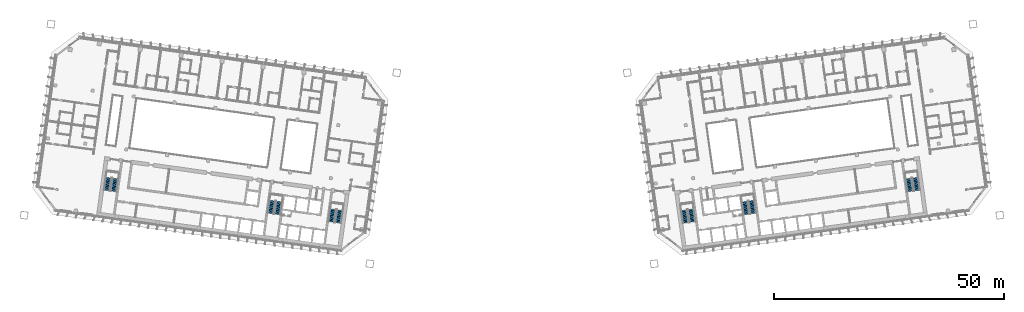
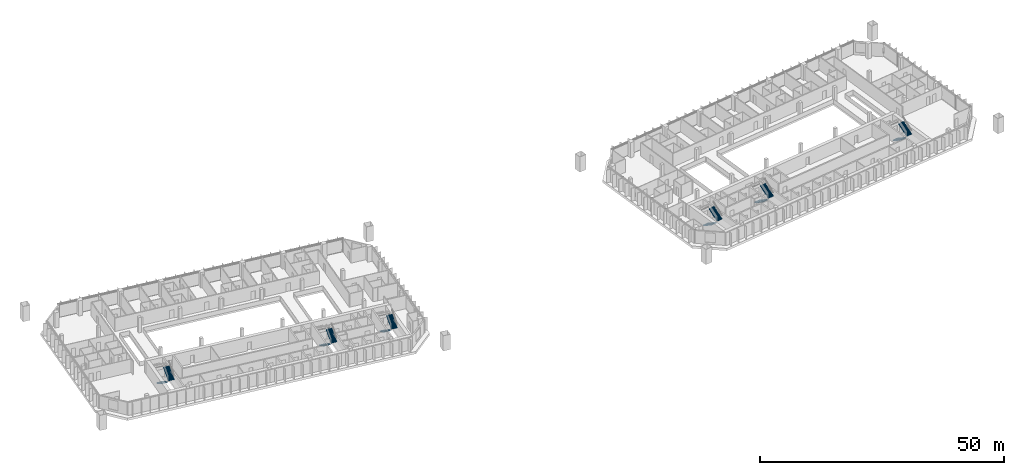
# One storey, part 23 of 26: 12 stair flights, 6 elements without a shape of their own.
"""IFC4 building model written with IfcOpenShell, lengths in metres."""

from ifc_helpers import new_model, si_unit, direction, frame, origin, place, context, subcontext, project, spatial, polyline, outline, extrude, material, type_object, element, aggregate, save


model = new_model("IFC4")

# Units and contexts
model_context = context("Model", 3, precision=1e-05, world=origin(), true_north=direction((0.0, 1.0)))
body_context = subcontext(model_context, "Body", "Model", "MODEL_VIEW")
ifc_project = project(units=[si_unit("LENGTHUNIT", "METRE"), si_unit("AREAUNIT", "SQUARE_METRE"), si_unit("VOLUMEUNIT", "CUBIC_METRE"), si_unit("PLANEANGLEUNIT", "RADIAN"), si_unit("MASSUNIT", "GRAM", prefix="KILO")], contexts=[model_context])

# Site, building, storey
site_placement = place(None, origin())
site = spatial("IfcSite", under=ifc_project, at=site_placement, CompositionType="ELEMENT")
building_placement = place(site_placement, origin())
building = spatial("IfcBuilding", under=site, at=building_placement, Name="Mirante Cascada Hotel Towers", CompositionType="ELEMENT")
storey_placement = place(building_placement, frame((0.0, 0.0, 106.3)))
storey = spatial("IfcBuildingStorey", under=building, at=storey_placement, Name="L23", CompositionType="ELEMENT", Elevation=106.3)

# Stair, stair flights
ifc_material_1 = material(Name="Concrete C35/45", Category="concrete")
stair_type = type_object("IfcStairType", Name="Exit stair half-turn 1350 concrete C35/45", PredefinedType="HALF_TURN_STAIR", material=ifc_material_1)
stair_1_placement = place(storey_placement, origin())
stair_1 = element("IfcStair", 1, at=stair_1_placement, inside=storey, type_object=stair_type, Name="L23 Exit stair A", PredefinedType="HALF_TURN_STAIR")
ifc_material_2 = material(Name="Concrete C35/45", Category="concrete")
stair_flight_type = type_object("IfcStairFlightType", Name="Exit stair flight 1350 concrete C35/45", PredefinedType="STRAIGHT", material=ifc_material_2)
stair_flight_1_placement = place(storey_placement, frame((-38.9417, -11.195, 0.0), z_axis=(0.0, 0.0, 1.0), x_axis=(-0.1391731, -0.9902681, 0.0)))
stair_flight_1 = element("IfcStairFlight", 2, at=stair_flight_1_placement, type_object=stair_flight_type, Name="ST1-A flight 1", NumberOfRisers=11, NumberOfTreads=10, PredefinedType="STRAIGHT", RiserHeight=0.172727273, TreadLength=0.28, context=body_context, shape_type="SweptSolid", body=[
    extrude(outline(polyline([(0.0, 0.0), (0.0, 0.1727), (0.28, 0.1727), (0.28, 0.3455), (0.56, 0.3455), (0.56, 0.5182), (0.84, 0.5182), (0.84, 0.6909), (1.12, 0.6909), (1.12, 0.8636), (1.4, 0.8636), (1.4, 1.0364), (1.68, 1.0364), (1.68, 1.2091), (1.96, 1.2091), (1.96, 1.3818), (2.24, 1.3818), (2.24, 1.5545), (2.52, 1.5545), (2.52, 1.7273), (2.8, 1.7273), (2.8, 1.9), (2.8, 1.551), (0.2857, 0.0), (0.0, 0.0)])), frame((0.0, 0.675, 0.0), z_axis=(0.0, -1.0, 0.0), x_axis=(1.0, 0.0, 0.0)), (0.0, 0.0, 1.0), 1.35),
])
stair_flight_2_placement = place(storey_placement, frame((-37.846, -14.1765, 1.9), z_axis=(0.0, 0.0, 1.0), x_axis=(0.1391731, 0.9902681, 0.0)))
stair_flight_2 = element("IfcStairFlight", 3, at=stair_flight_2_placement, type_object=stair_flight_type, Name="ST1-A flight 2", NumberOfRisers=11, NumberOfTreads=10, PredefinedType="STRAIGHT", RiserHeight=0.172727273, TreadLength=0.28, context=body_context, shape_type="SweptSolid", body=[
    extrude(outline(polyline([(0.0, 0.0), (0.0, 0.1727), (0.28, 0.1727), (0.28, 0.3455), (0.56, 0.3455), (0.56, 0.5182), (0.84, 0.5182), (0.84, 0.6909), (1.12, 0.6909), (1.12, 0.8636), (1.4, 0.8636), (1.4, 1.0364), (1.68, 1.0364), (1.68, 1.2091), (1.96, 1.2091), (1.96, 1.3818), (2.24, 1.3818), (2.24, 1.5545), (2.52, 1.5545), (2.52, 1.7273), (2.8, 1.7273), (2.8, 1.9), (2.8, 1.551), (0.2857, 0.0), (0.0, 0.0)])), frame((0.0, 0.675, 0.0), z_axis=(0.0, -1.0, 0.0), x_axis=(1.0, 0.0, 0.0)), (0.0, 0.0, 1.0), 1.35),
])
aggregate(stair_1, [stair_flight_1, stair_flight_2])

stair_2_placement = place(storey_placement, origin())
stair_2 = element("IfcStair", 4, at=stair_2_placement, inside=storey, type_object=stair_type, Name="L23 Exit stair B", PredefinedType="HALF_TURN_STAIR")
stair_flight_3_placement = place(storey_placement, frame((-52.1618, -9.3371, 0.0), z_axis=(0.0, 0.0, 1.0), x_axis=(-0.1391731, -0.9902681, 0.0)))
stair_flight_3 = element("IfcStairFlight", 5, at=stair_flight_3_placement, type_object=stair_flight_type, Name="ST1-B flight 1", NumberOfRisers=11, NumberOfTreads=10, PredefinedType="STRAIGHT", RiserHeight=0.172727273, TreadLength=0.28, context=body_context, shape_type="SweptSolid", body=[
    extrude(outline(polyline([(0.0, 0.0), (0.0, 0.1727), (0.28, 0.1727), (0.28, 0.3455), (0.56, 0.3455), (0.56, 0.5182), (0.84, 0.5182), (0.84, 0.6909), (1.12, 0.6909), (1.12, 0.8636), (1.4, 0.8636), (1.4, 1.0364), (1.68, 1.0364), (1.68, 1.2091), (1.96, 1.2091), (1.96, 1.3818), (2.24, 1.3818), (2.24, 1.5545), (2.52, 1.5545), (2.52, 1.7273), (2.8, 1.7273), (2.8, 1.9), (2.8, 1.551), (0.2857, 0.0), (0.0, 0.0)])), frame((0.0, 0.675, 0.0), z_axis=(0.0, -1.0, 0.0), x_axis=(1.0, 0.0, 0.0)), (0.0, 0.0, 1.0), 1.35),
])
stair_flight_4_placement = place(storey_placement, frame((-51.0661, -12.3186, 1.9), z_axis=(0.0, 0.0, 1.0), x_axis=(0.1391731, 0.9902681, 0.0)))
stair_flight_4 = element("IfcStairFlight", 6, at=stair_flight_4_placement, type_object=stair_flight_type, Name="ST1-B flight 2", NumberOfRisers=11, NumberOfTreads=10, PredefinedType="STRAIGHT", RiserHeight=0.172727273, TreadLength=0.28, context=body_context, shape_type="SweptSolid", body=[
    extrude(outline(polyline([(0.0, 0.0), (0.0, 0.1727), (0.28, 0.1727), (0.28, 0.3455), (0.56, 0.3455), (0.56, 0.5182), (0.84, 0.5182), (0.84, 0.6909), (1.12, 0.6909), (1.12, 0.8636), (1.4, 0.8636), (1.4, 1.0364), (1.68, 1.0364), (1.68, 1.2091), (1.96, 1.2091), (1.96, 1.3818), (2.24, 1.3818), (2.24, 1.5545), (2.52, 1.5545), (2.52, 1.7273), (2.8, 1.7273), (2.8, 1.9), (2.8, 1.551), (0.2857, 0.0), (0.0, 0.0)])), frame((0.0, 0.675, 0.0), z_axis=(0.0, -1.0, 0.0), x_axis=(1.0, 0.0, 0.0)), (0.0, 0.0, 1.0), 1.35),
])
aggregate(stair_2, [stair_flight_3, stair_flight_4])

stair_3_placement = place(storey_placement, origin())
stair_3 = element("IfcStair", 7, at=stair_3_placement, inside=storey, type_object=stair_type, Name="L23 Exit stair C", PredefinedType="HALF_TURN_STAIR")
stair_flight_5_placement = place(storey_placement, frame((-87.8115, -4.3268, 0.0), z_axis=(0.0, 0.0, 1.0), x_axis=(-0.1391731, -0.9902681, 0.0)))
stair_flight_5 = element("IfcStairFlight", 8, at=stair_flight_5_placement, type_object=stair_flight_type, Name="ST1-C flight 1", NumberOfRisers=11, NumberOfTreads=10, PredefinedType="STRAIGHT", RiserHeight=0.172727273, TreadLength=0.28, context=body_context, shape_type="SweptSolid", body=[
    extrude(outline(polyline([(0.0, 0.0), (0.0, 0.1727), (0.28, 0.1727), (0.28, 0.3455), (0.56, 0.3455), (0.56, 0.5182), (0.84, 0.5182), (0.84, 0.6909), (1.12, 0.6909), (1.12, 0.8636), (1.4, 0.8636), (1.4, 1.0364), (1.68, 1.0364), (1.68, 1.2091), (1.96, 1.2091), (1.96, 1.3818), (2.24, 1.3818), (2.24, 1.5545), (2.52, 1.5545), (2.52, 1.7273), (2.8, 1.7273), (2.8, 1.9), (2.8, 1.551), (0.2857, 0.0), (0.0, 0.0)])), frame((0.0, 0.675, 0.0), z_axis=(0.0, -1.0, 0.0), x_axis=(1.0, 0.0, 0.0)), (0.0, 0.0, 1.0), 1.35),
])
stair_flight_6_placement = place(storey_placement, frame((-86.7157, -7.3084, 1.9), z_axis=(0.0, 0.0, 1.0), x_axis=(0.1391731, 0.9902681, 0.0)))
stair_flight_6 = element("IfcStairFlight", 9, at=stair_flight_6_placement, type_object=stair_flight_type, Name="ST1-C flight 2", NumberOfRisers=11, NumberOfTreads=10, PredefinedType="STRAIGHT", RiserHeight=0.172727273, TreadLength=0.28, context=body_context, shape_type="SweptSolid", body=[
    extrude(outline(polyline([(0.0, 0.0), (0.0, 0.1727), (0.28, 0.1727), (0.28, 0.3455), (0.56, 0.3455), (0.56, 0.5182), (0.84, 0.5182), (0.84, 0.6909), (1.12, 0.6909), (1.12, 0.8636), (1.4, 0.8636), (1.4, 1.0364), (1.68, 1.0364), (1.68, 1.2091), (1.96, 1.2091), (1.96, 1.3818), (2.24, 1.3818), (2.24, 1.5545), (2.52, 1.5545), (2.52, 1.7273), (2.8, 1.7273), (2.8, 1.9), (2.8, 1.551), (0.2857, 0.0), (0.0, 0.0)])), frame((0.0, 0.675, 0.0), z_axis=(0.0, -1.0, 0.0), x_axis=(1.0, 0.0, 0.0)), (0.0, 0.0, 1.0), 1.35),
])
aggregate(stair_3, [stair_flight_5, stair_flight_6])

stair_4_placement = place(storey_placement, origin())
stair_4 = element("IfcStair", 10, at=stair_4_placement, inside=storey, type_object=stair_type, Name="L23 Exit stair A", PredefinedType="HALF_TURN_STAIR")
stair_flight_7_placement = place(storey_placement, frame((37.4563, -11.4038, 0.0), z_axis=(0.0, 0.0, 1.0), x_axis=(0.1391731, -0.9902681, 0.0)))
stair_flight_7 = element("IfcStairFlight", 11, at=stair_flight_7_placement, type_object=stair_flight_type, Name="ST2-A flight 1", NumberOfRisers=11, NumberOfTreads=10, PredefinedType="STRAIGHT", RiserHeight=0.172727273, TreadLength=0.28, context=body_context, shape_type="SweptSolid", body=[
    extrude(outline(polyline([(0.0, 0.0), (0.0, 0.1727), (0.28, 0.1727), (0.28, 0.3455), (0.56, 0.3455), (0.56, 0.5182), (0.84, 0.5182), (0.84, 0.6909), (1.12, 0.6909), (1.12, 0.8636), (1.4, 0.8636), (1.4, 1.0364), (1.68, 1.0364), (1.68, 1.2091), (1.96, 1.2091), (1.96, 1.3818), (2.24, 1.3818), (2.24, 1.5545), (2.52, 1.5545), (2.52, 1.7273), (2.8, 1.7273), (2.8, 1.9), (2.8, 1.551), (0.2857, 0.0), (0.0, 0.0)])), frame((0.0, 0.675, 0.0), z_axis=(0.0, -1.0, 0.0), x_axis=(1.0, 0.0, 0.0)), (0.0, 0.0, 1.0), 1.35),
])
stair_flight_8_placement = place(storey_placement, frame((39.3314, -13.9678, 1.9), z_axis=(0.0, 0.0, 1.0), x_axis=(-0.1391731, 0.9902681, 0.0)))
stair_flight_8 = element("IfcStairFlight", 12, at=stair_flight_8_placement, type_object=stair_flight_type, Name="ST2-A flight 2", NumberOfRisers=11, NumberOfTreads=10, PredefinedType="STRAIGHT", RiserHeight=0.172727273, TreadLength=0.28, context=body_context, shape_type="SweptSolid", body=[
    extrude(outline(polyline([(0.0, 0.0), (0.0, 0.1727), (0.28, 0.1727), (0.28, 0.3455), (0.56, 0.3455), (0.56, 0.5182), (0.84, 0.5182), (0.84, 0.6909), (1.12, 0.6909), (1.12, 0.8636), (1.4, 0.8636), (1.4, 1.0364), (1.68, 1.0364), (1.68, 1.2091), (1.96, 1.2091), (1.96, 1.3818), (2.24, 1.3818), (2.24, 1.5545), (2.52, 1.5545), (2.52, 1.7273), (2.8, 1.7273), (2.8, 1.9), (2.8, 1.551), (0.2857, 0.0), (0.0, 0.0)])), frame((0.0, 0.675, 0.0), z_axis=(0.0, -1.0, 0.0), x_axis=(1.0, 0.0, 0.0)), (0.0, 0.0, 1.0), 1.35),
])
aggregate(stair_4, [stair_flight_7, stair_flight_8])

stair_5_placement = place(storey_placement, origin())
stair_5 = element("IfcStair", 13, at=stair_5_placement, inside=storey, type_object=stair_type, Name="L23 Exit stair B", PredefinedType="HALF_TURN_STAIR")
stair_flight_9_placement = place(storey_placement, frame((50.6764, -9.5458, 0.0), z_axis=(0.0, 0.0, 1.0), x_axis=(0.1391731, -0.9902681, 0.0)))
stair_flight_9 = element("IfcStairFlight", 14, at=stair_flight_9_placement, type_object=stair_flight_type, Name="ST2-B flight 1", NumberOfRisers=11, NumberOfTreads=10, PredefinedType="STRAIGHT", RiserHeight=0.172727273, TreadLength=0.28, context=body_context, shape_type="SweptSolid", body=[
    extrude(outline(polyline([(0.0, 0.0), (0.0, 0.1727), (0.28, 0.1727), (0.28, 0.3455), (0.56, 0.3455), (0.56, 0.5182), (0.84, 0.5182), (0.84, 0.6909), (1.12, 0.6909), (1.12, 0.8636), (1.4, 0.8636), (1.4, 1.0364), (1.68, 1.0364), (1.68, 1.2091), (1.96, 1.2091), (1.96, 1.3818), (2.24, 1.3818), (2.24, 1.5545), (2.52, 1.5545), (2.52, 1.7273), (2.8, 1.7273), (2.8, 1.9), (2.8, 1.551), (0.2857, 0.0), (0.0, 0.0)])), frame((0.0, 0.675, 0.0), z_axis=(0.0, -1.0, 0.0), x_axis=(1.0, 0.0, 0.0)), (0.0, 0.0, 1.0), 1.35),
])
stair_flight_10_placement = place(storey_placement, frame((52.5515, -12.1098, 1.9), z_axis=(0.0, 0.0, 1.0), x_axis=(-0.1391731, 0.9902681, 0.0)))
stair_flight_10 = element("IfcStairFlight", 15, at=stair_flight_10_placement, type_object=stair_flight_type, Name="ST2-B flight 2", NumberOfRisers=11, NumberOfTreads=10, PredefinedType="STRAIGHT", RiserHeight=0.172727273, TreadLength=0.28, context=body_context, shape_type="SweptSolid", body=[
    extrude(outline(polyline([(0.0, 0.0), (0.0, 0.1727), (0.28, 0.1727), (0.28, 0.3455), (0.56, 0.3455), (0.56, 0.5182), (0.84, 0.5182), (0.84, 0.6909), (1.12, 0.6909), (1.12, 0.8636), (1.4, 0.8636), (1.4, 1.0364), (1.68, 1.0364), (1.68, 1.2091), (1.96, 1.2091), (1.96, 1.3818), (2.24, 1.3818), (2.24, 1.5545), (2.52, 1.5545), (2.52, 1.7273), (2.8, 1.7273), (2.8, 1.9), (2.8, 1.551), (0.2857, 0.0), (0.0, 0.0)])), frame((0.0, 0.675, 0.0), z_axis=(0.0, -1.0, 0.0), x_axis=(1.0, 0.0, 0.0)), (0.0, 0.0, 1.0), 1.35),
])
aggregate(stair_5, [stair_flight_9, stair_flight_10])

stair_6_placement = place(storey_placement, origin())
stair_6 = element("IfcStair", 16, at=stair_6_placement, inside=storey, type_object=stair_type, Name="L23 Exit stair C", PredefinedType="HALF_TURN_STAIR")
stair_flight_11_placement = place(storey_placement, frame((86.326, -4.5356, 0.0), z_axis=(0.0, 0.0, 1.0), x_axis=(0.1391731, -0.9902681, 0.0)))
stair_flight_11 = element("IfcStairFlight", 17, at=stair_flight_11_placement, type_object=stair_flight_type, Name="ST2-C flight 1", NumberOfRisers=11, NumberOfTreads=10, PredefinedType="STRAIGHT", RiserHeight=0.172727273, TreadLength=0.28, context=body_context, shape_type="SweptSolid", body=[
    extrude(outline(polyline([(0.0, 0.0), (0.0, 0.1727), (0.28, 0.1727), (0.28, 0.3455), (0.56, 0.3455), (0.56, 0.5182), (0.84, 0.5182), (0.84, 0.6909), (1.12, 0.6909), (1.12, 0.8636), (1.4, 0.8636), (1.4, 1.0364), (1.68, 1.0364), (1.68, 1.2091), (1.96, 1.2091), (1.96, 1.3818), (2.24, 1.3818), (2.24, 1.5545), (2.52, 1.5545), (2.52, 1.7273), (2.8, 1.7273), (2.8, 1.9), (2.8, 1.551), (0.2857, 0.0), (0.0, 0.0)])), frame((0.0, 0.675, 0.0), z_axis=(0.0, -1.0, 0.0), x_axis=(1.0, 0.0, 0.0)), (0.0, 0.0, 1.0), 1.35),
])
stair_flight_12_placement = place(storey_placement, frame((88.2011, -7.0996, 1.9), z_axis=(0.0, 0.0, 1.0), x_axis=(-0.1391731, 0.9902681, 0.0)))
stair_flight_12 = element("IfcStairFlight", 18, at=stair_flight_12_placement, type_object=stair_flight_type, Name="ST2-C flight 2", NumberOfRisers=11, NumberOfTreads=10, PredefinedType="STRAIGHT", RiserHeight=0.172727273, TreadLength=0.28, context=body_context, shape_type="SweptSolid", body=[
    extrude(outline(polyline([(0.0, 0.0), (0.0, 0.1727), (0.28, 0.1727), (0.28, 0.3455), (0.56, 0.3455), (0.56, 0.5182), (0.84, 0.5182), (0.84, 0.6909), (1.12, 0.6909), (1.12, 0.8636), (1.4, 0.8636), (1.4, 1.0364), (1.68, 1.0364), (1.68, 1.2091), (1.96, 1.2091), (1.96, 1.3818), (2.24, 1.3818), (2.24, 1.5545), (2.52, 1.5545), (2.52, 1.7273), (2.8, 1.7273), (2.8, 1.9), (2.8, 1.551), (0.2857, 0.0), (0.0, 0.0)])), frame((0.0, 0.675, 0.0), z_axis=(0.0, -1.0, 0.0), x_axis=(1.0, 0.0, 0.0)), (0.0, 0.0, 1.0), 1.35),
])
aggregate(stair_6, [stair_flight_11, stair_flight_12])

save(model, "model.ifc")
